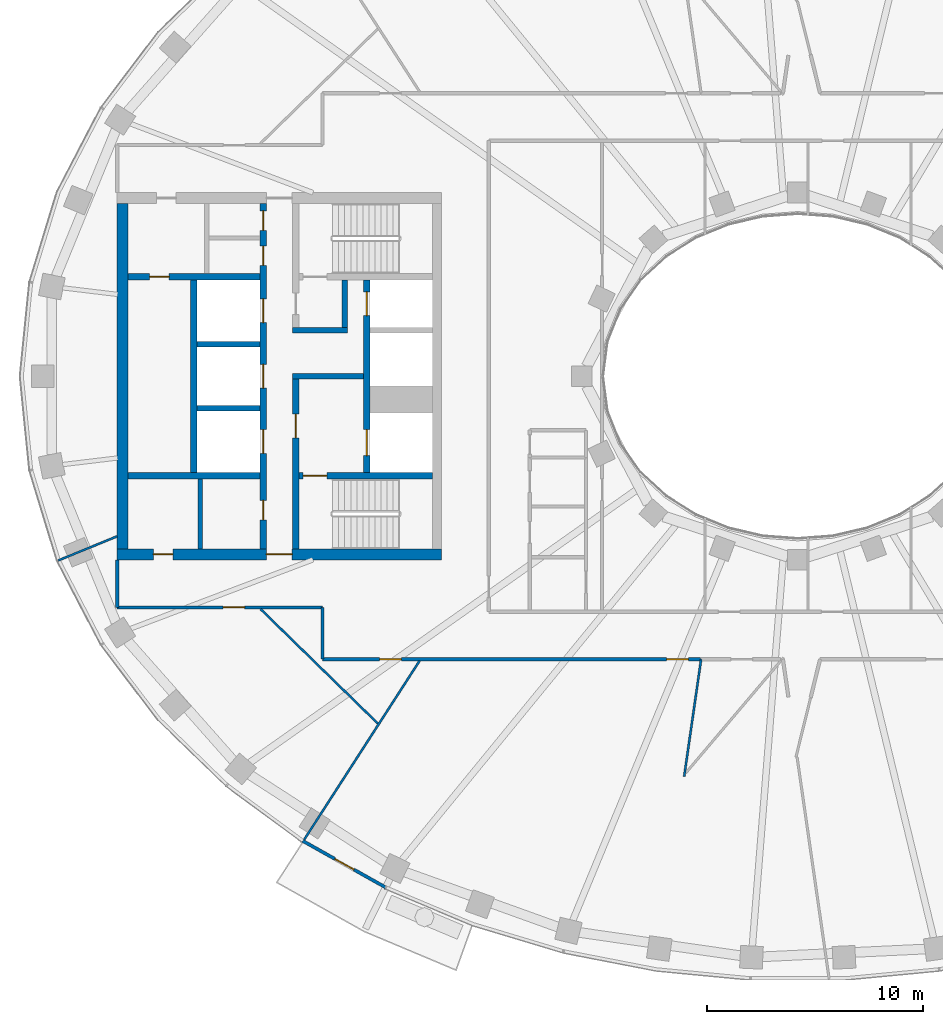
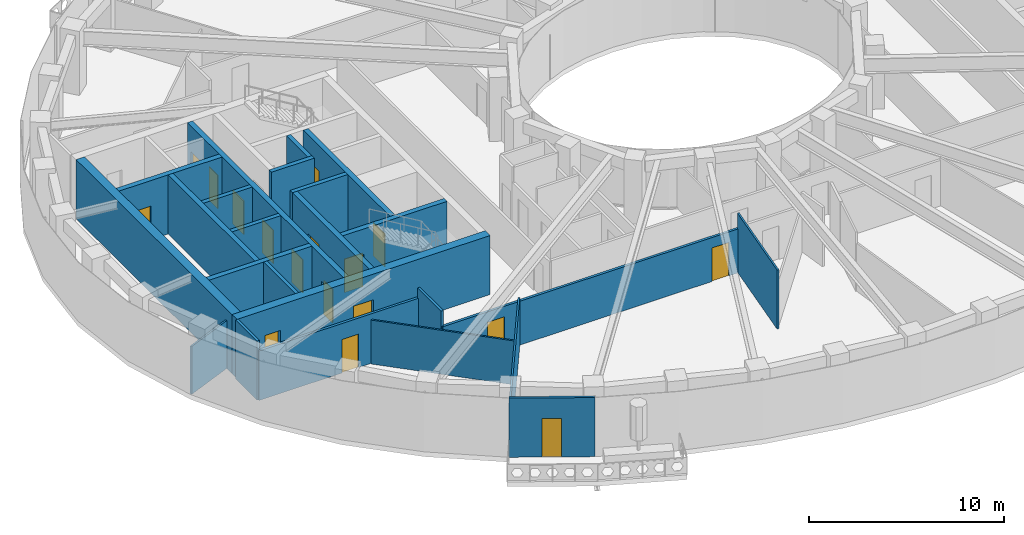
# One storey, part 3 of 15: 24 walls, 17 doors, 17 openings.
"""IFC4 building model written with IfcOpenShell, lengths in metres."""

from ifc_helpers import new_model, si_unit, direction, frame, frame_2d, origin, place, context, subcontext, project, spatial, rectangle, extrude, material, layer, layer_set, type_object, element, fill, save


model = new_model("IFC4")

# Units and contexts
model_context = context("Model", 3, precision=1e-05, world=origin(), true_north=direction((0.0, 1.0)))
body_context = subcontext(model_context, "Body", "Model", "MODEL_VIEW")
ifc_project = project(units=[si_unit("LENGTHUNIT", "METRE"), si_unit("AREAUNIT", "SQUARE_METRE"), si_unit("VOLUMEUNIT", "CUBIC_METRE"), si_unit("PLANEANGLEUNIT", "RADIAN"), si_unit("MASSUNIT", "GRAM", prefix="KILO")], contexts=[model_context])

# Site, building, storey
site_placement = place(None, origin())
site = spatial("IfcSite", under=ifc_project, at=site_placement, CompositionType="ELEMENT")
building_placement = place(site_placement, origin())
building = spatial("IfcBuilding", under=site, at=building_placement, Name="Noorbagh Ring Tower", CompositionType="ELEMENT")
storey_placement = place(building_placement, frame((0.0, 0.0, 265.5)))
storey = spatial("IfcBuildingStorey", under=building, at=storey_placement, Name="L56", CompositionType="ELEMENT", Elevation=265.5)

# Walls
ifc_material_1 = material(Name="Gypsum board on steel studs", Category="steel")
ifc_layer_1 = layer(ifc_material_1, 0.199951171875)
ifc_layer_set_1 = layer_set([ifc_layer_1], Name="Gypsum board on steel studs")
wall_type_1 = type_object("IfcWallType", Name="CORE-PARTITION-200", PredefinedType="PARTITIONING", material=ifc_layer_set_1)
wall_1_placement = place(storey_placement, frame((-27.64990234375, -8.0, 0.0), z_axis=(0.0, 0.0, 1.0), x_axis=(0.0, 1.0, 0.0)))
element("IfcWall", 1, at=wall_1_placement, inside=storey, type_object=wall_type_1, Name="Core partition W", PredefinedType="PARTITIONING", context=body_context, shape_type="SweptSolid", body=[
    extrude(rectangle(XDim=3.25, YDim=0.199951171875, at=frame_2d((1.625, 0.0))), origin(), (0.0, 0.0, 1.0), 3.699951171875),
])
ifc_material_2 = material(Name="Concrete C60/75", Category="concrete")
ifc_layer_2 = layer(ifc_material_2, 0.25)
ifc_layer_set_2 = layer_set([ifc_layer_2], Name="Concrete C60/75")
wall_type_2 = type_object("IfcWallType", Name="CORE-WALL-250-C60-75-EI120", PredefinedType="SHEAR", material=ifc_layer_set_2)
for number, where, z_axis, x_axis, name in (
    (2, (-24.89990234375, -1.47509765625, 0.0), (0.0, 0.0, 1.0), (-1.0, 0.0, 0.0), "Core wall W"),
    (3, (-24.89990234375, 1.47509765625, 0.0), (0.0, 0.0, 1.0), (-1.0, 0.0, 0.0), "Core wall W"),
):
    element("IfcWall", number, at=place(storey_placement, frame(where, z_axis=z_axis, x_axis=x_axis)), inside=storey, type_object=wall_type_2, Name=name, PredefinedType="SHEAR", context=body_context, shape_type="SweptSolid", body=[
        extrude(rectangle(XDim=2.900146484375, YDim=0.25, at=frame_2d((1.4501953125, 0.0))), origin(), (0.0, 0.0, 1.0), 3.699951171875),
    ])
ifc_material_3 = material(Name="Concrete C60/75", Category="concrete")
ifc_layer_3 = layer(ifc_material_3, 0.25)
ifc_layer_set_3 = layer_set([ifc_layer_3], Name="Concrete C60/75")
wall_type_3 = type_object("IfcWallType", Name="CORE-WALL-250-C60-75-EI240", PredefinedType="SHEAR", material=ifc_layer_set_3)
wall_2_placement = place(storey_placement, frame((-20.10009765625, 0.0, 0.0), z_axis=(0.0, 0.0, 1.0), x_axis=(-1.0, 0.0, 0.0)))
element("IfcWall", 4, at=wall_2_placement, inside=storey, type_object=wall_type_3, Name="Core wall W", PredefinedType="SHEAR", context=body_context, shape_type="SweptSolid", body=[
    extrude(rectangle(XDim=3.27978515625, YDim=0.25, at=frame_2d((1.639892578125, 0.0))), origin(), (0.0, 0.0, 1.0), 3.699951171875),
])
wall_3_placement = place(storey_placement, frame((-20.85009765625, 2.125, 0.0), z_axis=(0.0, 0.0, 1.0), x_axis=(-1.0, 0.0, 0.0)))
element("IfcWall", 5, at=wall_3_placement, inside=storey, type_object=wall_type_3, Name="Core wall W", PredefinedType="SHEAR", context=body_context, shape_type="SweptSolid", body=[
    extrude(rectangle(XDim=2.52978515625, YDim=0.25, at=frame_2d((1.264892578125, 0.0))), origin(), (0.0, 0.0, 1.0), 3.699951171875),
])
wall_4_placement = place(storey_placement, frame((-20.97509765625, 2.25, 0.0), z_axis=(0.0, 0.0, 1.0), x_axis=(0.0, 1.0, 0.0)))
element("IfcWall", 6, at=wall_4_placement, inside=storey, type_object=wall_type_3, Name="Core wall W", PredefinedType="SHEAR", context=body_context, shape_type="SweptSolid", body=[
    extrude(rectangle(XDim=2.199951171875, YDim=0.25, at=frame_2d((1.10009765625, 0.0))), origin(), (0.0, 0.0, 1.0), 3.699951171875),
])
ifc_material_4 = material(Name="Concrete C60/75", Category="concrete")
ifc_layer_4 = layer(ifc_material_4, 0.300048828125)
ifc_layer_set_4 = layer_set([ifc_layer_4], Name="Concrete C60/75")
wall_type_4 = type_object("IfcWallType", Name="CORE-WALL-300-C60-75-EI120", PredefinedType="SHEAR", material=ifc_layer_set_4)
wall_5_placement = place(storey_placement, frame((-27.949951171875, -4.449951171875, 0.0), z_axis=(0.0, 0.0, 1.0), x_axis=(0.0, 1.0, 0.0)))
element("IfcWall", 7, at=wall_5_placement, inside=storey, type_object=wall_type_4, Name="Core wall W", PredefinedType="SHEAR", context=body_context, shape_type="SweptSolid", body=[
    extrude(rectangle(XDim=8.89990234375, YDim=0.300048828125, at=frame_2d((4.449951171875, 0.0))), origin(), (0.0, 0.0, 1.0), 3.699951171875),
])

# Wall, openings, doors
wall_6_placement = place(storey_placement, frame((-19.949951171875, -4.449951171875, 0.0), z_axis=(0.0, 0.0, 1.0), x_axis=(0.0, 1.0, 0.0)))
wall_6 = element("IfcWall", 8, at=wall_6_placement, inside=storey, type_object=wall_type_4, Name="Core wall W", PredefinedType="SHEAR", context=body_context, shape_type="SweptSolid", body=[
    extrude(rectangle(XDim=8.89990234375, YDim=0.300048828125, at=frame_2d((4.449951171875, 0.0))), origin(), (0.0, 0.0, 1.0), 3.699951171875),
])
opening_1_placement = place(wall_6_placement, frame((0.77490234375, 0.0, 0.0)))
opening_1 = element("IfcOpeningElement", 9, at=opening_1_placement, cuts=wall_6, Name="Opening L56-CW01", PredefinedType="OPENING", context=body_context, shape_type="SweptSolid", body=[
    extrude(rectangle(XDim=1.199951171875, YDim=2.10009765625, at=frame_2d((0.60009765625, 1.050048828125))), frame((0.0, 0.16015625, 0.0), z_axis=(0.0, -1.0, 0.0), x_axis=(1.0, 0.0, 0.0)), (0.0, 0.0, 1.0), 0.320068359375),
])
opening_2_placement = place(wall_6_placement, frame((7.25, 0.0, 0.0)))
opening_2 = element("IfcOpeningElement", 10, at=opening_2_placement, cuts=wall_6, Name="Opening L56-CW02", PredefinedType="OPENING", context=body_context, shape_type="SweptSolid", body=[
    extrude(rectangle(XDim=1.10009765625, YDim=2.10009765625, at=frame_2d((0.550048828125, 1.050048828125))), frame((0.0, 0.16015625, 0.0), z_axis=(0.0, -1.0, 0.0), x_axis=(1.0, 0.0, 0.0)), (0.0, 0.0, 1.0), 0.320068359375),
])
ifc_material_5 = material(Name="Steel door leaf", Category="steel")
door_type_1 = type_object("IfcDoorType", Name="CORE-DOOR-LD", OperationType="DOUBLE_DOOR_SLIDING", PredefinedType="DOOR", material=ifc_material_5)
door_1_placement = place(opening_2_placement, origin())
door_1 = element("IfcDoor", 11, at=door_1_placement, inside=storey, type_object=door_type_1, Name="Landing door HR1 L56-CW02", OperationType="DOUBLE_DOOR_SLIDING", OverallHeight=2.10009765625, OverallWidth=1.10009765625, PredefinedType="DOOR", context=body_context, shape_type="SweptSolid", body=[
    extrude(rectangle(XDim=1.10009765625, YDim=2.10009765625, at=frame_2d((0.550048828125, 1.050048828125))), frame((0.0, 0.02490234375, 0.0), z_axis=(0.0, -1.0, 0.0), x_axis=(1.0, 0.0, 0.0)), (0.0, 0.0, 1.0), 0.050048828125),
])
fill(opening_2, door_1)
ifc_material_6 = material(Name="Steel door leaf", Category="steel")
door_type_2 = type_object("IfcDoorType", Name="CORE-DOOR-LDW", OperationType="DOUBLE_DOOR_SLIDING", PredefinedType="DOOR", material=ifc_material_6)
door_2_placement = place(opening_1_placement, origin())
door_2 = element("IfcDoor", 12, at=door_2_placement, inside=storey, type_object=door_type_2, Name="Landing door FF1 L56-CW01", OperationType="DOUBLE_DOOR_SLIDING", OverallHeight=2.10009765625, OverallWidth=1.199951171875, PredefinedType="DOOR", context=body_context, shape_type="SweptSolid", body=[
    extrude(rectangle(XDim=1.199951171875, YDim=2.10009765625, at=frame_2d((0.60009765625, 1.050048828125))), frame((0.0, 0.02490234375, 0.0), z_axis=(0.0, -1.0, 0.0), x_axis=(1.0, 0.0, 0.0)), (0.0, 0.0, 1.0), 0.050048828125),
])
fill(opening_1, door_2)

wall_7_placement = place(storey_placement, frame((-24.75, -8.0, 0.0), z_axis=(0.0, 0.0, 1.0), x_axis=(0.0, 1.0, 0.0)))
wall_7 = element("IfcWall", 13, at=wall_7_placement, inside=storey, type_object=wall_type_4, Name="Core wall W", PredefinedType="SHEAR", context=body_context, shape_type="SweptSolid", body=[
    extrude(rectangle(XDim=16.0, YDim=0.300048828125, at=frame_2d((8.0, 0.0))), origin(), (0.0, 0.0, 1.0), 3.699951171875),
])
opening_3_placement = place(wall_7_placement, frame((4.425048828125, 0.0, 0.0)))
opening_3 = element("IfcOpeningElement", 14, at=opening_3_placement, cuts=wall_7, Name="Opening L56-CW03", PredefinedType="OPENING", context=body_context, shape_type="SweptSolid", body=[
    extrude(rectangle(XDim=1.10009765625, YDim=2.10009765625, at=frame_2d((0.550048828125, 1.050048828125))), frame((0.0, 0.16015625, 0.0), z_axis=(0.0, -1.0, 0.0), x_axis=(1.0, 0.0, 0.0)), (0.0, 0.0, 1.0), 0.320068359375),
])
opening_4_placement = place(wall_7_placement, frame((7.449951171875, 0.0, 0.0)))
opening_4 = element("IfcOpeningElement", 15, at=opening_4_placement, cuts=wall_7, Name="Opening L56-CW04", PredefinedType="OPENING", context=body_context, shape_type="SweptSolid", body=[
    extrude(rectangle(XDim=1.10009765625, YDim=2.10009765625, at=frame_2d((0.550048828125, 1.050048828125))), frame((0.0, 0.16015625, 0.0), z_axis=(0.0, -1.0, 0.0), x_axis=(1.0, 0.0, 0.0)), (0.0, 0.0, 1.0), 0.320068359375),
])
opening_5_placement = place(wall_7_placement, frame((10.47509765625, 0.0, 0.0)))
opening_5 = element("IfcOpeningElement", 16, at=opening_5_placement, cuts=wall_7, Name="Opening L56-CW05", PredefinedType="OPENING", context=body_context, shape_type="SweptSolid", body=[
    extrude(rectangle(XDim=1.10009765625, YDim=2.10009765625, at=frame_2d((0.550048828125, 1.050048828125))), frame((0.0, 0.16015625, 0.0), z_axis=(0.0, -1.0, 0.0), x_axis=(1.0, 0.0, 0.0)), (0.0, 0.0, 1.0), 0.320068359375),
])
opening_6_placement = place(wall_7_placement, frame((13.125, 0.0, 0.0)))
opening_6 = element("IfcOpeningElement", 17, at=opening_6_placement, cuts=wall_7, Name="Opening L56-CW12", PredefinedType="OPENING", context=body_context, shape_type="SweptSolid", body=[
    extrude(rectangle(XDim=0.89990234375, YDim=2.10009765625, at=frame_2d((0.449951171875, 1.050048828125))), frame((0.0, 0.16015625, 0.0), z_axis=(0.0, -1.0, 0.0), x_axis=(1.0, 0.0, 0.0)), (0.0, 0.0, 1.0), 0.320068359375),
])
opening_7_placement = place(wall_7_placement, frame((14.75, 0.0, 0.0)))
opening_7 = element("IfcOpeningElement", 18, at=opening_7_placement, cuts=wall_7, Name="Opening L56-CW13", PredefinedType="OPENING", context=body_context, shape_type="SweptSolid", body=[
    extrude(rectangle(XDim=0.89990234375, YDim=2.10009765625, at=frame_2d((0.449951171875, 1.050048828125))), frame((0.0, 0.16015625, 0.0), z_axis=(0.0, -1.0, 0.0), x_axis=(1.0, 0.0, 0.0)), (0.0, 0.0, 1.0), 0.320068359375),
])
opening_8_placement = place(wall_7_placement, frame((1.35009765625, 0.0, 0.0)))
opening_8 = element("IfcOpeningElement", 19, at=opening_8_placement, cuts=wall_7, Name="Opening L56-CW15", PredefinedType="OPENING", context=body_context, shape_type="SweptSolid", body=[
    extrude(rectangle(XDim=0.89990234375, YDim=2.10009765625, at=frame_2d((0.449951171875, 1.050048828125))), frame((0.0, 0.16015625, 0.0), z_axis=(0.0, -1.0, 0.0), x_axis=(1.0, 0.0, 0.0)), (0.0, 0.0, 1.0), 0.320068359375),
])
ifc_material_7 = material(Name="Steel door leaf", Category="steel")
door_type_3 = type_object("IfcDoorType", Name="CORE-DOOR-DROOM", OperationType="SINGLE_SWING_LEFT", PredefinedType="DOOR", material=ifc_material_7)
door_3_placement = place(opening_6_placement, origin())
door_3 = element("IfcDoor", 20, at=door_3_placement, inside=storey, type_object=door_type_3, Name="Core room door L56-CW12", OperationType="SINGLE_SWING_LEFT", OverallHeight=2.10009765625, OverallWidth=0.89990234375, PredefinedType="DOOR", context=body_context, shape_type="SweptSolid", body=[
    extrude(rectangle(XDim=0.89990234375, YDim=2.10009765625, at=frame_2d((0.449951171875, 1.050048828125))), frame((0.0, 0.02490234375, 0.0), z_axis=(0.0, -1.0, 0.0), x_axis=(1.0, 0.0, 0.0)), (0.0, 0.0, 1.0), 0.050048828125),
])
fill(opening_6, door_3)
door_4_placement = place(opening_7_placement, origin())
door_4 = element("IfcDoor", 21, at=door_4_placement, inside=storey, type_object=door_type_3, Name="Core room door L56-CW13", OperationType="SINGLE_SWING_RIGHT", OverallHeight=2.10009765625, OverallWidth=0.89990234375, PredefinedType="DOOR", context=body_context, shape_type="SweptSolid", body=[
    extrude(rectangle(XDim=0.89990234375, YDim=2.10009765625, at=frame_2d((0.449951171875, 1.050048828125))), frame((0.0, 0.02490234375, 0.0), z_axis=(0.0, -1.0, 0.0), x_axis=(1.0, 0.0, 0.0)), (0.0, 0.0, 1.0), 0.050048828125),
])
fill(opening_7, door_4)
door_5_placement = place(opening_8_placement, origin())
door_5 = element("IfcDoor", 22, at=door_5_placement, inside=storey, type_object=door_type_3, Name="Core room door L56-CW15", OperationType="SINGLE_SWING_LEFT", OverallHeight=2.10009765625, OverallWidth=0.89990234375, PredefinedType="DOOR", context=body_context, shape_type="SweptSolid", body=[
    extrude(rectangle(XDim=0.89990234375, YDim=2.10009765625, at=frame_2d((0.449951171875, 1.050048828125))), frame((0.0, 0.02490234375, 0.0), z_axis=(0.0, -1.0, 0.0), x_axis=(1.0, 0.0, 0.0)), (0.0, 0.0, 1.0), 0.050048828125),
])
fill(opening_8, door_5)
door_6_placement = place(opening_3_placement, origin())
door_6 = element("IfcDoor", 23, at=door_6_placement, inside=storey, type_object=door_type_1, Name="Landing door HR2 L56-CW03", OperationType="DOUBLE_DOOR_SLIDING", OverallHeight=2.10009765625, OverallWidth=1.10009765625, PredefinedType="DOOR", context=body_context, shape_type="SweptSolid", body=[
    extrude(rectangle(XDim=1.10009765625, YDim=2.10009765625, at=frame_2d((0.550048828125, 1.050048828125))), frame((0.0, 0.02490234375, 0.0), z_axis=(0.0, -1.0, 0.0), x_axis=(1.0, 0.0, 0.0)), (0.0, 0.0, 1.0), 0.050048828125),
])
fill(opening_3, door_6)
door_7_placement = place(opening_4_placement, origin())
door_7 = element("IfcDoor", 24, at=door_7_placement, inside=storey, type_object=door_type_1, Name="Landing door HR3 L56-CW04", OperationType="DOUBLE_DOOR_SLIDING", OverallHeight=2.10009765625, OverallWidth=1.10009765625, PredefinedType="DOOR", context=body_context, shape_type="SweptSolid", body=[
    extrude(rectangle(XDim=1.10009765625, YDim=2.10009765625, at=frame_2d((0.550048828125, 1.050048828125))), frame((0.0, 0.02490234375, 0.0), z_axis=(0.0, -1.0, 0.0), x_axis=(1.0, 0.0, 0.0)), (0.0, 0.0, 1.0), 0.050048828125),
])
fill(opening_4, door_7)
door_8_placement = place(opening_5_placement, origin())
door_8 = element("IfcDoor", 25, at=door_8_placement, inside=storey, type_object=door_type_1, Name="Landing door HR4 L56-CW05", OperationType="DOUBLE_DOOR_SLIDING", OverallHeight=2.10009765625, OverallWidth=1.10009765625, PredefinedType="DOOR", context=body_context, shape_type="SweptSolid", body=[
    extrude(rectangle(XDim=1.10009765625, YDim=2.10009765625, at=frame_2d((0.550048828125, 1.050048828125))), frame((0.0, 0.02490234375, 0.0), z_axis=(0.0, -1.0, 0.0), x_axis=(1.0, 0.0, 0.0)), (0.0, 0.0, 1.0), 0.050048828125),
])
fill(opening_5, door_8)

# Wall, opening, door
ifc_material_8 = material(Name="Concrete C60/75", Category="concrete")
ifc_layer_5 = layer(ifc_material_8, 0.300048828125)
ifc_layer_set_5 = layer_set([ifc_layer_5], Name="Concrete C60/75")
wall_type_5 = type_object("IfcWallType", Name="CORE-WALL-300-C60-75-EI240", PredefinedType="SHEAR", material=ifc_layer_set_5)
wall_8_placement = place(storey_placement, frame((-24.89990234375, 4.60009765625, 0.0), z_axis=(0.0, 0.0, 1.0), x_axis=(-1.0, 0.0, 0.0)))
wall_8 = element("IfcWall", 26, at=wall_8_placement, inside=storey, type_object=wall_type_5, Name="Core wall W", PredefinedType="SHEAR", context=body_context, shape_type="SweptSolid", body=[
    extrude(rectangle(XDim=6.10009765625, YDim=0.300048828125, at=frame_2d((3.050048828125, 0.0))), origin(), (0.0, 0.0, 1.0), 3.699951171875),
])
opening_9_placement = place(wall_8_placement, frame((4.199951171875, 0.0, 0.0)))
opening_9 = element("IfcOpeningElement", 27, at=opening_9_placement, cuts=wall_8, Name="Opening L56-CW17", PredefinedType="OPENING", context=body_context, shape_type="SweptSolid", body=[
    extrude(rectangle(XDim=0.89990234375, YDim=2.10009765625, at=frame_2d((0.449951171875, 1.050048828125))), frame((0.0, 0.16015625, 0.0), z_axis=(0.0, -1.0, 0.0), x_axis=(1.0, 0.0, 0.0)), (0.0, 0.0, 1.0), 0.320068359375),
])
door_9_placement = place(opening_9_placement, origin())
door_9 = element("IfcDoor", 28, at=door_9_placement, inside=storey, type_object=door_type_3, Name="Core room door L56-CW17", OperationType="SINGLE_SWING_LEFT", OverallHeight=2.10009765625, OverallWidth=0.89990234375, PredefinedType="DOOR", context=body_context, shape_type="SweptSolid", body=[
    extrude(rectangle(XDim=0.89990234375, YDim=2.10009765625, at=frame_2d((0.449951171875, 1.050048828125))), frame((0.0, 0.02490234375, 0.0), z_axis=(0.0, -1.0, 0.0), x_axis=(1.0, 0.0, 0.0)), (0.0, 0.0, 1.0), 0.050048828125),
])
fill(opening_9, door_9)

# Wall
wall_9_placement = place(storey_placement, frame((-24.89990234375, -4.60009765625, 0.0), z_axis=(0.0, 0.0, 1.0), x_axis=(-1.0, 0.0, 0.0)))
element("IfcWall", 29, at=wall_9_placement, inside=storey, type_object=wall_type_5, Name="Core wall W", PredefinedType="SHEAR", context=body_context, shape_type="SweptSolid", body=[
    extrude(rectangle(XDim=6.10009765625, YDim=0.300048828125, at=frame_2d((3.050048828125, 0.0))), origin(), (0.0, 0.0, 1.0), 3.699951171875),
])

# Wall, opening, door
wall_10_placement = place(storey_placement, frame((-23.22998046875, -8.0, 0.0), z_axis=(0.0, 0.0, 1.0), x_axis=(0.0, 1.0, 0.0)))
wall_10 = element("IfcWall", 30, at=wall_10_placement, inside=storey, type_object=wall_type_5, Name="Core wall W", PredefinedType="SHEAR", context=body_context, shape_type="SweptSolid", body=[
    extrude(rectangle(XDim=7.875, YDim=0.300048828125, at=frame_2d((3.9375, 0.0))), origin(), (0.0, 0.0, 1.0), 3.699951171875),
])
opening_10_placement = place(wall_10_placement, frame((5.14990234375, 0.0, 0.0)))
opening_10 = element("IfcOpeningElement", 31, at=opening_10_placement, cuts=wall_10, Name="Opening L56-CW08", PredefinedType="OPENING", context=body_context, shape_type="SweptSolid", body=[
    extrude(rectangle(XDim=1.10009765625, YDim=2.10009765625, at=frame_2d((0.550048828125, 1.050048828125))), frame((0.0, 0.16015625, 0.0), z_axis=(0.0, -1.0, 0.0), x_axis=(1.0, 0.0, 0.0)), (0.0, 0.0, 1.0), 0.320068359375),
])
ifc_material_9 = material(Name="Steel door leaf", Category="steel")
door_type_4 = type_object("IfcDoorType", Name="CORE-DOOR-DFF", OperationType="SINGLE_SWING_LEFT", PredefinedType="DOOR", material=ifc_material_9)
door_10_placement = place(opening_10_placement, origin())
door_10 = element("IfcDoor", 32, at=door_10_placement, inside=storey, type_object=door_type_4, Name="Firefighting lobby door L56-CW08", OperationType="SINGLE_SWING_LEFT", OverallHeight=2.10009765625, OverallWidth=1.10009765625, PredefinedType="DOOR", context=body_context, shape_type="SweptSolid", body=[
    extrude(rectangle(XDim=1.10009765625, YDim=2.10009765625, at=frame_2d((0.550048828125, 1.050048828125))), frame((0.0, 0.02490234375, 0.0), z_axis=(0.0, -1.0, 0.0), x_axis=(1.0, 0.0, 0.0)), (0.0, 0.0, 1.0), 0.050048828125),
])
fill(opening_10, door_10)

wall_11_placement = place(storey_placement, frame((-16.89990234375, -4.60009765625, 0.0), z_axis=(0.0, 0.0, 1.0), x_axis=(-1.0, 0.0, 0.0)))
wall_11 = element("IfcWall", 33, at=wall_11_placement, inside=storey, type_object=wall_type_5, Name="Core wall W", PredefinedType="SHEAR", context=body_context, shape_type="SweptSolid", body=[
    extrude(rectangle(XDim=6.18017578125, YDim=0.300048828125, at=frame_2d((3.090087890625, 0.0))), origin(), (0.0, 0.0, 1.0), 3.699951171875),
])
opening_11_placement = place(wall_11_placement, frame((4.89990234375, 0.0, 0.0)))
opening_11 = element("IfcOpeningElement", 34, at=opening_11_placement, cuts=wall_11, Name="Opening L56-CW07", PredefinedType="OPENING", context=body_context, shape_type="SweptSolid", body=[
    extrude(rectangle(XDim=1.10009765625, YDim=2.10009765625, at=frame_2d((0.550048828125, 1.050048828125))), frame((0.0, 0.16015625, 0.0), z_axis=(0.0, -1.0, 0.0), x_axis=(1.0, 0.0, 0.0)), (0.0, 0.0, 1.0), 0.320068359375),
])
ifc_material_10 = material(Name="Steel door leaf", Category="steel")
door_type_5 = type_object("IfcDoorType", Name="CORE-DOOR-DSTAIR", OperationType="SINGLE_SWING_LEFT", PredefinedType="DOOR", material=ifc_material_10)
door_11_placement = place(opening_11_placement, origin())
door_11 = element("IfcDoor", 35, at=door_11_placement, inside=storey, type_object=door_type_5, Name="Stair door ST2 L56-CW07", OperationType="SINGLE_SWING_LEFT", OverallHeight=2.10009765625, OverallWidth=1.10009765625, PredefinedType="DOOR", context=body_context, shape_type="SweptSolid", body=[
    extrude(rectangle(XDim=1.10009765625, YDim=2.10009765625, at=frame_2d((0.550048828125, 1.050048828125))), frame((0.0, 0.02490234375, 0.0), z_axis=(0.0, -1.0, 0.0), x_axis=(1.0, 0.0, 0.0)), (0.0, 0.0, 1.0), 0.050048828125),
])
fill(opening_11, door_11)

# Wall, openings, doors
ifc_material_11 = material(Name="Concrete C60/75", Category="concrete")
ifc_layer_6 = layer(ifc_material_11, 0.5)
ifc_layer_set_6 = layer_set([ifc_layer_6], Name="Concrete C60/75")
wall_type_6 = type_object("IfcWallType", Name="CORE-WALL-500-C60-75-EI240", PredefinedType="SHEAR", material=ifc_layer_set_6)
wall_12_placement = place(storey_placement, frame((-16.5, -8.25, 0.0), z_axis=(0.0, 0.0, 1.0), x_axis=(-1.0, 0.0, 0.0)))
wall_12 = element("IfcWall", 36, at=wall_12_placement, inside=storey, type_object=wall_type_6, Name="Core wall W", PredefinedType="SHEAR", context=body_context, shape_type="SweptSolid", body=[
    extrude(rectangle(XDim=15.0, YDim=0.5, at=frame_2d((7.5, 0.0))), origin(), (0.0, 0.0, 1.0), 3.699951171875),
])
opening_12_placement = place(wall_12_placement, frame((6.89990234375, 0.0, 0.0)))
opening_12 = element("IfcOpeningElement", 37, at=opening_12_placement, cuts=wall_12, Name="Opening L56-CW11", PredefinedType="OPENING", context=body_context, shape_type="SweptSolid", body=[
    extrude(rectangle(XDim=1.199951171875, YDim=2.10009765625, at=frame_2d((0.60009765625, 1.050048828125))), frame((0.0, 0.260009765625, 0.0), z_axis=(0.0, -1.0, 0.0), x_axis=(1.0, 0.0, 0.0)), (0.0, 0.0, 1.0), 0.52001953125),
])
opening_13_placement = place(wall_12_placement, frame((12.425048828125, 0.0, 0.0)))
opening_13 = element("IfcOpeningElement", 38, at=opening_13_placement, cuts=wall_12, Name="Opening L56-CW16", PredefinedType="OPENING", context=body_context, shape_type="SweptSolid", body=[
    extrude(rectangle(XDim=0.89990234375, YDim=2.10009765625, at=frame_2d((0.449951171875, 1.050048828125))), frame((0.0, 0.260009765625, 0.0), z_axis=(0.0, -1.0, 0.0), x_axis=(1.0, 0.0, 0.0)), (0.0, 0.0, 1.0), 0.52001953125),
])
door_12_placement = place(opening_13_placement, origin())
door_12 = element("IfcDoor", 39, at=door_12_placement, inside=storey, type_object=door_type_3, Name="Core room door L56-CW16", OperationType="SINGLE_SWING_LEFT", OverallHeight=2.10009765625, OverallWidth=0.89990234375, PredefinedType="DOOR", context=body_context, shape_type="SweptSolid", body=[
    extrude(rectangle(XDim=0.89990234375, YDim=2.10009765625, at=frame_2d((0.449951171875, 1.050048828125))), frame((0.0, 0.02490234375, 0.0), z_axis=(0.0, -1.0, 0.0), x_axis=(1.0, 0.0, 0.0)), (0.0, 0.0, 1.0), 0.050048828125),
])
fill(opening_13, door_12)
ifc_material_12 = material(Name="Steel door leaf", Category="steel")
door_type_6 = type_object("IfcDoorType", Name="CORE-DOOR-PORT", OperationType="DOUBLE_DOOR_DOUBLE_SWING", PredefinedType="DOOR", material=ifc_material_12)
door_13_placement = place(opening_12_placement, origin())
door_13 = element("IfcDoor", 40, at=door_13_placement, inside=storey, type_object=door_type_6, Name="Core entrance door L56-CW11", OperationType="DOUBLE_DOOR_DOUBLE_SWING", OverallHeight=2.10009765625, OverallWidth=1.199951171875, PredefinedType="DOOR", context=body_context, shape_type="SweptSolid", body=[
    extrude(rectangle(XDim=1.199951171875, YDim=2.10009765625, at=frame_2d((0.60009765625, 1.050048828125))), frame((0.0, 0.02490234375, 0.0), z_axis=(0.0, -1.0, 0.0), x_axis=(1.0, 0.0, 0.0)), (0.0, 0.0, 1.0), 0.050048828125),
])
fill(opening_12, door_13)

# Walls
wall_13_placement = place(storey_placement, frame((-31.25, -8.0, 0.0), z_axis=(0.0, 0.0, 1.0), x_axis=(0.0, 1.0, 0.0)))
element("IfcWall", 41, at=wall_13_placement, inside=storey, type_object=wall_type_6, Name="Core wall W", PredefinedType="SHEAR", context=body_context, shape_type="SweptSolid", body=[
    extrude(rectangle(XDim=16.0, YDim=0.5, at=frame_2d((8.0, 0.0))), origin(), (0.0, 0.0, 1.0), 3.699951171875),
])
ifc_material_13 = material(Name="Gypsum board on steel studs", Category="steel")
ifc_layer_7 = layer(ifc_material_13, 0.14990234375)
ifc_layer_set_7 = layer_set([ifc_layer_7], Name="Gypsum board on steel studs")
wall_type_7 = type_object("IfcWallType", Name="CORRIDOR PARTITION 150 EI 30", PredefinedType="PARTITIONING", material=ifc_layer_set_7)
wall_14_placement = place(storey_placement, frame((-31.5, -10.699951171875, 0.0), z_axis=(0.0, 0.0, 1.0), x_axis=(0.0, 1.0, 0.0)))
element("IfcWall", 42, at=wall_14_placement, inside=storey, type_object=wall_type_7, Name="L56/wall/P02", PredefinedType="PARTITIONING", context=body_context, shape_type="SweptSolid", body=[
    extrude(rectangle(XDim=2.199951171875, YDim=0.14990234375, at=frame_2d((1.10009765625, 0.0))), origin(), (0.0, 0.0, 1.0), 3.699951171875),
])

# Wall, opening, door
wall_15_placement = place(storey_placement, frame((-31.5, -10.699951171875, 0.0), z_axis=(0.0, 0.0, 1.0), x_axis=(1.0, 0.0, 0.0)))
wall_15 = element("IfcWall", 43, at=wall_15_placement, inside=storey, type_object=wall_type_7, Name="L56/wall/P03", PredefinedType="PARTITIONING", context=body_context, shape_type="SweptSolid", body=[
    extrude(rectangle(XDim=9.5, YDim=0.14990234375, at=frame_2d((4.75, 0.0))), origin(), (0.0, 0.0, 1.0), 3.10009765625),
])
opening_14_placement = place(wall_15_placement, frame((4.89990234375, 0.0, 0.0)))
opening_14 = element("IfcOpeningElement", 44, at=opening_14_placement, cuts=wall_15, Name="Opening D1", PredefinedType="OPENING", context=body_context, shape_type="SweptSolid", body=[
    extrude(rectangle(XDim=1.0, YDim=2.10009765625, at=frame_2d((0.5, 1.050048828125))), frame((0.0, 0.0849609375, 0.0), z_axis=(0.0, -1.0, 0.0), x_axis=(1.0, 0.0, 0.0)), (0.0, 0.0, 1.0), 0.169921875),
])
ifc_material_14 = material(Name="Timber, painted", Category="wood")
door_type_7 = type_object("IfcDoorType", Name="DOOR 1000 X 2100 FD30", OperationType="SINGLE_SWING_LEFT", PredefinedType="DOOR", material=ifc_material_14)
door_14_placement = place(opening_14_placement, origin())
door_14 = element("IfcDoor", 45, at=door_14_placement, inside=storey, type_object=door_type_7, Name="L56-D06", OperationType="SINGLE_SWING_RIGHT", OverallHeight=2.10009765625, OverallWidth=1.0, PredefinedType="DOOR", context=body_context, shape_type="SweptSolid", body=[
    extrude(rectangle(XDim=1.0, YDim=2.10009765625, at=frame_2d((0.5, 1.050048828125))), frame((0.0, 0.02490234375, 0.0), z_axis=(0.0, -1.0, 0.0), x_axis=(1.0, 0.0, 0.0)), (0.0, 0.0, 1.0), 0.050048828125),
])
fill(opening_14, door_14)

# Wall
wall_16_placement = place(storey_placement, frame((-22.0, -13.10009765625, 0.0), z_axis=(0.0, 0.0, 1.0), x_axis=(0.0, 1.0, 0.0)))
element("IfcWall", 46, at=wall_16_placement, inside=storey, type_object=wall_type_7, Name="L56/wall/P10", PredefinedType="PARTITIONING", context=body_context, shape_type="SweptSolid", body=[
    extrude(rectangle(XDim=2.400146484375, YDim=0.14990234375, at=frame_2d((1.2001953125, 0.0))), origin(), (0.0, 0.0, 1.0), 3.699951171875),
])

# Wall, openings, doors
wall_17_placement = place(storey_placement, frame((-22.0, -13.10009765625, 0.0), z_axis=(0.0, 0.0, 1.0), x_axis=(1.0, 0.0, 0.0)))
wall_17 = element("IfcWall", 47, at=wall_17_placement, inside=storey, type_object=wall_type_7, Name="L56/wall/P11", PredefinedType="PARTITIONING", context=body_context, shape_type="SweptSolid", body=[
    extrude(rectangle(XDim=17.507080078125, YDim=0.14990234375, at=frame_2d((8.75341796875, 0.0))), origin(), (0.0, 0.0, 1.0), 2.75),
])
opening_15_placement = place(wall_17_placement, frame((2.64990234375, 0.0, 0.0)))
opening_15 = element("IfcOpeningElement", 48, at=opening_15_placement, cuts=wall_17, Name="Opening D1", PredefinedType="OPENING", context=body_context, shape_type="SweptSolid", body=[
    extrude(rectangle(XDim=1.0, YDim=2.10009765625, at=frame_2d((0.5, 1.050048828125))), frame((0.0, 0.0849609375, 0.0), z_axis=(0.0, -1.0, 0.0), x_axis=(1.0, 0.0, 0.0)), (0.0, 0.0, 1.0), 0.169921875),
])
opening_16_placement = place(wall_17_placement, frame((15.93603515625, 0.0, 0.0)))
opening_16 = element("IfcOpeningElement", 49, at=opening_16_placement, cuts=wall_17, Name="Opening D1", PredefinedType="OPENING", context=body_context, shape_type="SweptSolid", body=[
    extrude(rectangle(XDim=1.0, YDim=2.10009765625, at=frame_2d((0.5, 1.050048828125))), frame((0.0, 0.0849609375, 0.0), z_axis=(0.0, -1.0, 0.0), x_axis=(1.0, 0.0, 0.0)), (0.0, 0.0, 1.0), 0.169921875),
])
door_15_placement = place(opening_15_placement, origin())
door_15 = element("IfcDoor", 50, at=door_15_placement, inside=storey, type_object=door_type_7, Name="L56-D08", OperationType="SINGLE_SWING_RIGHT", OverallHeight=2.10009765625, OverallWidth=1.0, PredefinedType="DOOR", context=body_context, shape_type="SweptSolid", body=[
    extrude(rectangle(XDim=1.0, YDim=2.10009765625, at=frame_2d((0.5, 1.050048828125))), frame((0.0, 0.02490234375, 0.0), z_axis=(0.0, -1.0, 0.0), x_axis=(1.0, 0.0, 0.0)), (0.0, 0.0, 1.0), 0.050048828125),
])
fill(opening_15, door_15)
door_16_placement = place(opening_16_placement, origin())
door_16 = element("IfcDoor", 51, at=door_16_placement, inside=storey, type_object=door_type_7, Name="L56-D10", OperationType="SINGLE_SWING_RIGHT", OverallHeight=2.10009765625, OverallWidth=1.0, PredefinedType="DOOR", context=body_context, shape_type="SweptSolid", body=[
    extrude(rectangle(XDim=1.0, YDim=2.10009765625, at=frame_2d((0.5, 1.050048828125))), frame((0.0, 0.02490234375, 0.0), z_axis=(0.0, -1.0, 0.0), x_axis=(1.0, 0.0, 0.0)), (0.0, 0.0, 1.0), 0.050048828125),
])
fill(opening_16, door_16)

# Wall, opening, door
ifc_material_15 = material(Name="Insulated aluminium clad panel", Category="aluminium")
ifc_layer_8 = layer(ifc_material_15, 0.14990234375)
ifc_layer_set_8 = layer_set([ifc_layer_8], Name="Insulated aluminium clad panel")
wall_type_8 = type_object("IfcWallType", Name="ENV-WALL-DOOR", PredefinedType="STANDARD", material=ifc_layer_set_8)
wall_18_placement = place(storey_placement, frame((-22.913330078125, -21.508544921875, 0.0), z_axis=(0.0, 0.0, 1.0), x_axis=(0.872046572975, -0.489422899509, 0.0)))
wall_18 = element("IfcWall", 52, at=wall_18_placement, inside=storey, type_object=wall_type_8, Name="Balcony door wall chord 30", PredefinedType="STANDARD", context=body_context, shape_type="SweptSolid", body=[
    extrude(rectangle(XDim=4.425537109375, YDim=0.14990234375, at=frame_2d((2.212890625, 0.0))), origin(), (0.0, 0.0, 1.0), 3.699951171875),
])
opening_17_placement = place(wall_18_placement, frame((1.712646484375, 0.0, 0.0)))
opening_17 = element("IfcOpeningElement", 53, at=opening_17_placement, cuts=wall_18, Name="Opening D-BL", PredefinedType="OPENING", context=body_context, shape_type="SweptSolid", body=[
    extrude(rectangle(XDim=1.0, YDim=2.39990234375, at=frame_2d((0.5, 1.199951171875))), frame((0.0, 0.0849609375, 0.0), z_axis=(0.0, -1.0, 0.0), x_axis=(1.0, 0.0, 0.0)), (0.0, 0.0, 1.0), 0.169921875),
])
ifc_material_16 = material(Name="Aluminium and glass", Category="aluminium")
door_type_8 = type_object("IfcDoorType", Name="ENV-DOOR-BALCONY", OperationType="SINGLE_SWING_LEFT", PredefinedType="DOOR", material=ifc_material_16)
door_17_placement = place(opening_17_placement, origin())
door_17 = element("IfcDoor", 54, at=door_17_placement, inside=storey, type_object=door_type_8, Name="Balcony door chord 30", OperationType="SINGLE_SWING_LEFT", OverallHeight=2.39990234375, OverallWidth=1.0, PredefinedType="DOOR", context=body_context, shape_type="SweptSolid", body=[
    extrude(rectangle(XDim=1.0, YDim=2.39990234375, at=frame_2d((0.5, 1.199951171875))), frame((0.0, 0.02490234375, 0.0), z_axis=(0.0, -1.0, 0.0), x_axis=(1.0, 0.0, 0.0)), (0.0, 0.0, 1.0), 0.050048828125),
])
fill(opening_17, door_17)

# Walls
ifc_material_17 = material(Name="Gypsum board on steel studs", Category="steel")
ifc_layer_9 = layer(ifc_material_17, 0.10009765625)
ifc_layer_set_9 = layer_set([ifc_layer_9], Name="Gypsum board on steel studs")
wall_type_9 = type_object("IfcWallType", Name="PARTITION 100 GYPSUM", PredefinedType="PARTITIONING", material=ifc_layer_set_9)
wall_19_placement = place(storey_placement, frame((-34.23388671875, -8.530029296875, 0.0), z_axis=(0.0, 0.0, 1.0), x_axis=(0.925344112436, 0.379128307542, 0.0)))
element("IfcWall", 55, at=wall_19_placement, inside=storey, type_object=wall_type_9, Name="L56/wall/P01", PredefinedType="PARTITIONING", context=body_context, shape_type="SweptSolid", body=[
    extrude(rectangle(XDim=2.954345703125, YDim=0.10009765625, at=frame_2d((1.47705078125, 0.0))), origin(), (0.0, 0.0, 1.0), 3.0),
])
wall_20_placement = place(storey_placement, frame((-24.865966796875, -10.778076171875, 0.0), z_axis=(0.0, 0.0, 1.0), x_axis=(0.715632814242, -0.698476681916, 0.0)))
element("IfcWall", 56, at=wall_20_placement, inside=storey, type_object=wall_type_9, Name="L56/wall/P06", PredefinedType="PARTITIONING", context=body_context, shape_type="SweptSolid", body=[
    extrude(rectangle(XDim=7.5849609375, YDim=0.10009765625, at=frame_2d((3.79248046875, 0.0))), origin(), (0.0, 0.0, 1.0), 2.75),
])
wall_21_placement = place(storey_placement, frame((-22.905029296875, -21.5419921875, 0.0), z_axis=(0.0, 0.0, 1.0), x_axis=(0.542277075573, 0.840199722273, 0.0)))
element("IfcWall", 57, at=wall_21_placement, inside=storey, type_object=wall_type_9, Name="L56/wall/P08", PredefinedType="PARTITIONING", context=body_context, shape_type="SweptSolid", body=[
    extrude(rectangle(XDim=9.958251953125, YDim=0.10009765625, at=frame_2d((4.97900390625, 0.0))), origin(), (0.0, 0.0, 1.0), 3.0),
])
wall_22_placement = place(storey_placement, frame((-5.258056640625, -18.532958984375, 0.0), z_axis=(0.0, 0.0, 1.0), x_axis=(0.143033857536, 0.989717795939, 0.0)))
element("IfcWall", 58, at=wall_22_placement, inside=storey, type_object=wall_type_9, Name="L56/wall/P27", PredefinedType="PARTITIONING", context=body_context, shape_type="SweptSolid", body=[
    extrude(rectangle(XDim=5.4892578125, YDim=0.10009765625, at=frame_2d((2.74462890625, 0.0))), origin(), (0.0, 0.0, 1.0), 3.699951171875),
])

save(model, "model.ifc")
